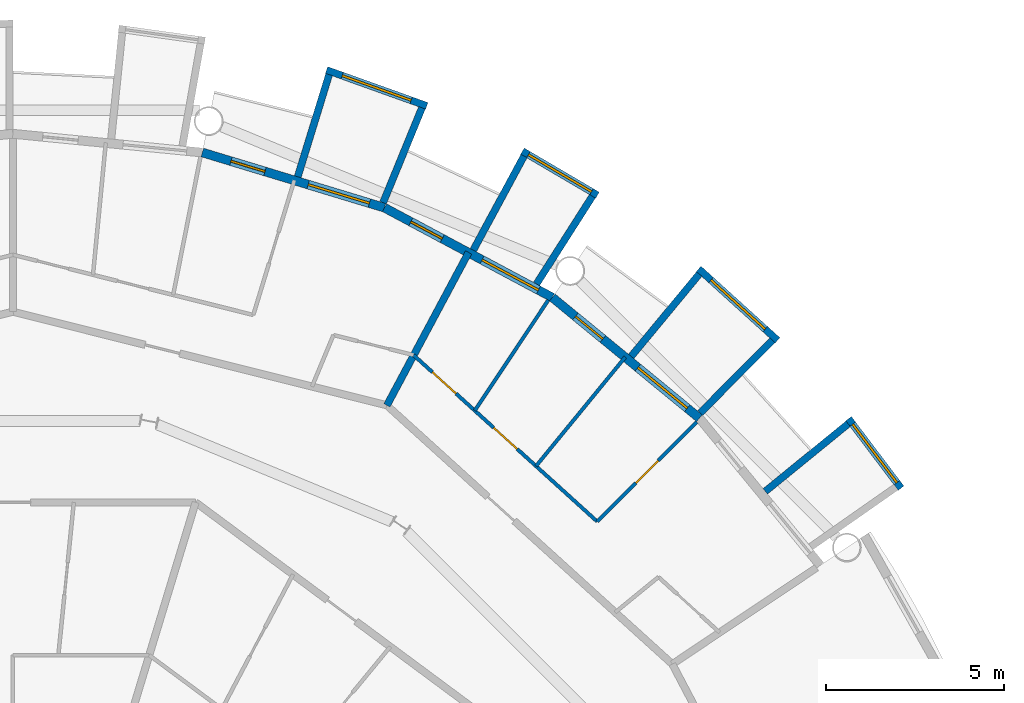
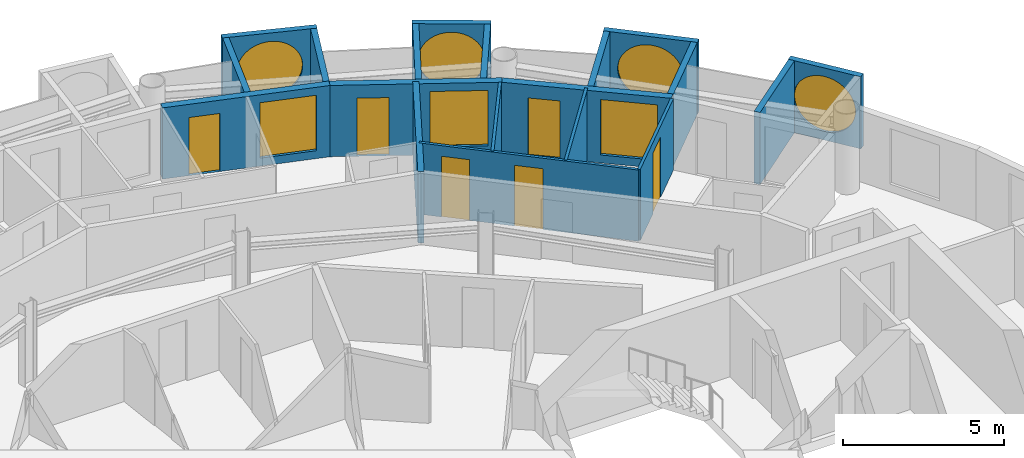
# One storey, part 23 of 27: 19 walls, 7 windows, 6 doors, 13 openings.
"""IFC4 building model written with IfcOpenShell, lengths in metres."""

from ifc_helpers import new_model, si_unit, direction, frame, frame_2d, origin, place, context, subcontext, project, spatial, rectangle, circle, extrude, material, layer, layer_set, type_object, element, fill, save


model = new_model("IFC4")

# Units and contexts
model_context = context("Model", 3, precision=1e-05, world=origin(), true_north=direction((0.0, 1.0)))
body_context = subcontext(model_context, "Body", "Model", "MODEL_VIEW")
ifc_project = project(units=[si_unit("LENGTHUNIT", "METRE"), si_unit("AREAUNIT", "SQUARE_METRE"), si_unit("VOLUMEUNIT", "CUBIC_METRE"), si_unit("PLANEANGLEUNIT", "RADIAN"), si_unit("MASSUNIT", "GRAM", prefix="KILO")], contexts=[model_context])

# Site, building, storey
site_placement = place(None, origin())
site = spatial("IfcSite", under=ifc_project, at=site_placement, CompositionType="ELEMENT")
building_placement = place(site_placement, origin())
building = spatial("IfcBuilding", under=site, at=building_placement, Name="Maasbend Ring Residences", CompositionType="ELEMENT")
storey_placement = place(building_placement, frame((0.0, 0.0, 151.300048828125)))
storey = spatial("IfcBuildingStorey", under=building, at=storey_placement, Name="L43", CompositionType="ELEMENT", Elevation=151.300048828125)

# Wall, opening, window
ifc_material_1 = material(Name="Pale anodised aluminium panel", Category="aluminium")
ifc_layer_1 = layer(ifc_material_1, 0.199951171875)
ifc_layer_set_1 = layer_set([ifc_layer_1], Name="EW-BOX")
wall_type_1 = type_object("IfcWallType", Name="EW-BOX", PredefinedType="SOLIDWALL", material=ifc_layer_set_1)
wall_1_placement = place(storey_placement, frame((24.971923828125, 17.3369140625, -0.030029296875), z_axis=(0.0, 0.0, 1.0), x_axis=(-0.602806268067, 0.797887588059, 0.0)))
wall_1 = element("IfcWall", 1, at=wall_1_placement, inside=storey, type_object=wall_type_1, Name="Box front N01", PredefinedType="SOLIDWALL", context=body_context, shape_type="SweptSolid", body=[
    extrude(rectangle(XDim=2.446533203125, YDim=0.199951171875, at=frame_2d((1.22314453125, 0.0))), origin(), (0.0, 0.0, 1.0), 2.72998046875),
])
opening_1_placement = place(wall_1_placement, frame((0.182861328125, 0.0, 0.330078125)))
opening_1 = element("IfcOpeningElement", 2, at=opening_1_placement, cuts=wall_1, Name="Opening W-RD", PredefinedType="OPENING", context=body_context, shape_type="SweptSolid", body=[
    extrude(circle(Radius=1.0400390625, at=frame_2d((1.0400390625, 1.0400390625))), frame((0.0, 0.10986328125, 0.0), z_axis=(0.0, -1.0, 0.0), x_axis=(1.0, 0.0, 0.0)), (0.0, 0.0, 1.0), 0.219970703125),
])
ifc_material_2 = material(Name="Aluminium and clear glass", Category="aluminium")
window_type_1 = type_object("IfcWindowType", Name="W-RD", PartitioningType="SINGLE_PANEL", PredefinedType="WINDOW", material=ifc_material_2)
window_1_placement = place(opening_1_placement, origin())
window_1 = element("IfcWindow", 3, at=window_1_placement, inside=storey, type_object=window_type_1, Name="Round window N01", OverallHeight=2.080078125, OverallWidth=2.080078125, PartitioningType="SINGLE_PANEL", PredefinedType="WINDOW", context=body_context, shape_type="SweptSolid", body=[
    extrude(circle(Radius=1.0400390625, at=frame_2d((1.0400390625, 1.0400390625))), frame((0.0, 0.030029296875, 0.0), z_axis=(0.0, -1.0, 0.0), x_axis=(1.0, 0.0, 0.0)), (0.0, 0.0, 1.0), 0.06005859375),
])
fill(opening_1, window_1)

# Wall
wall_2_placement = place(storey_placement, frame((21.155029296875, 17.24609375, -0.030029296875), z_axis=(0.0, 0.0, 1.0), x_axis=(0.775179004516, 0.631741648902, 0.0)))
element("IfcWall", 4, at=wall_2_placement, inside=storey, type_object=wall_type_1, Name="Box side wall N01 right", PredefinedType="SOLIDWALL", context=body_context, shape_type="SweptSolid", body=[
    extrude(rectangle(XDim=3.005859375, YDim=0.199951171875, at=frame_2d((1.5029296875, 0.0))), origin(), (0.0, 0.0, 1.0), 2.72998046875),
])

# Wall, opening, window
wall_3_placement = place(storey_placement, frame((21.5, 21.492919921875, -0.030029296875), z_axis=(0.0, 0.0, 1.0), x_axis=(-0.740998365753, 0.671506829416, 0.0)))
wall_3 = element("IfcWall", 5, at=wall_3_placement, inside=storey, type_object=wall_type_1, Name="Box front N03", PredefinedType="SOLIDWALL", context=body_context, shape_type="SweptSolid", body=[
    extrude(rectangle(XDim=2.9931640625, YDim=0.199951171875, at=frame_2d((1.49658203125, 0.0))), origin(), (0.0, 0.0, 1.0), 2.72998046875),
])
opening_2_placement = place(wall_3_placement, frame((0.45654296875, 0.0, 0.330078125)))
opening_2 = element("IfcOpeningElement", 6, at=opening_2_placement, cuts=wall_3, Name="Opening W-RD", PredefinedType="OPENING", context=body_context, shape_type="SweptSolid", body=[
    extrude(circle(Radius=1.0400390625, at=frame_2d((1.0400390625, 1.0400390625))), frame((0.0, 0.10986328125, 0.0), z_axis=(0.0, -1.0, 0.0), x_axis=(1.0, 0.0, 0.0)), (0.0, 0.0, 1.0), 0.219970703125),
])
window_2_placement = place(opening_2_placement, origin())
window_2 = element("IfcWindow", 7, at=window_2_placement, inside=storey, type_object=window_type_1, Name="Round window N03", OverallHeight=2.080078125, OverallWidth=2.080078125, PartitioningType="SINGLE_PANEL", PredefinedType="WINDOW", context=body_context, shape_type="SweptSolid", body=[
    extrude(circle(Radius=1.0400390625, at=frame_2d((1.0400390625, 1.0400390625))), frame((0.0, 0.030029296875, 0.0), z_axis=(0.0, -1.0, 0.0), x_axis=(1.0, 0.0, 0.0)), (0.0, 0.0, 1.0), 0.06005859375),
])
fill(opening_2, window_2)

# Walls
wall_4_placement = place(storey_placement, frame((19.322998046875, 19.449951171875, -0.030029296875), z_axis=(0.0, 0.0, 1.0), x_axis=(0.704476739375, 0.709727076896, 0.0)))
element("IfcWall", 8, at=wall_4_placement, inside=storey, type_object=wall_type_1, Name="Box side wall N03 left", PredefinedType="SOLIDWALL", context=body_context, shape_type="SweptSolid", body=[
    extrude(rectangle(XDim=2.883056640625, YDim=0.199951171875, at=frame_2d((1.44140625, 0.0))), origin(), (0.0, 0.0, 1.0), 2.72998046875),
])
wall_5_placement = place(storey_placement, frame((17.384033203125, 21.041015625, -0.030029296875), z_axis=(0.0, 0.0, 1.0), x_axis=(0.63709551667, 0.770784861449, 0.0)))
element("IfcWall", 9, at=wall_5_placement, inside=storey, type_object=wall_type_1, Name="Box side wall N03 right", PredefinedType="SOLIDWALL", context=body_context, shape_type="SweptSolid", body=[
    extrude(rectangle(XDim=3.005859375, YDim=0.199951171875, at=frame_2d((1.5029296875, 0.0))), origin(), (0.0, 0.0, 1.0), 2.72998046875),
])

# Wall, opening, window
wall_6_placement = place(storey_placement, frame((16.43603515625, 25.573974609375, -0.030029296875), z_axis=(0.0, 0.0, 1.0), x_axis=(-0.862403467503, 0.506221551535, 0.0)))
wall_6 = element("IfcWall", 10, at=wall_6_placement, inside=storey, type_object=wall_type_1, Name="Box front N05", PredefinedType="SOLIDWALL", context=body_context, shape_type="SweptSolid", body=[
    extrude(rectangle(XDim=2.445556640625, YDim=0.199951171875, at=frame_2d((1.22265625, 0.0))), origin(), (0.0, 0.0, 1.0), 2.72998046875),
])
opening_3_placement = place(wall_6_placement, frame((0.182861328125, 0.0, 0.330078125)))
opening_3 = element("IfcOpeningElement", 11, at=opening_3_placement, cuts=wall_6, Name="Opening W-RD", PredefinedType="OPENING", context=body_context, shape_type="SweptSolid", body=[
    extrude(circle(Radius=1.0400390625, at=frame_2d((1.0400390625, 1.0400390625))), frame((0.0, 0.10986328125, 0.0), z_axis=(0.0, -1.0, 0.0), x_axis=(1.0, 0.0, 0.0)), (0.0, 0.0, 1.0), 0.219970703125),
])
window_3_placement = place(opening_3_placement, origin())
window_3 = element("IfcWindow", 12, at=window_3_placement, inside=storey, type_object=window_type_1, Name="Round window N05", OverallHeight=2.080078125, OverallWidth=2.080078125, PartitioningType="SINGLE_PANEL", PredefinedType="WINDOW", context=body_context, shape_type="SweptSolid", body=[
    extrude(circle(Radius=1.0400390625, at=frame_2d((1.0400390625, 1.0400390625))), frame((0.0, 0.030029296875, 0.0), z_axis=(0.0, -1.0, 0.0), x_axis=(1.0, 0.0, 0.0)), (0.0, 0.0, 1.0), 0.06005859375),
])
fill(opening_3, window_3)

# Walls
wall_7_placement = place(storey_placement, frame((14.721923828125, 23.0791015625, -0.030029296875), z_axis=(0.0, 0.0, 1.0), x_axis=(0.537572179146, 0.843217737129, 0.0)))
element("IfcWall", 13, at=wall_7_placement, inside=storey, type_object=wall_type_1, Name="Box side wall N05 left", PredefinedType="SOLIDWALL", context=body_context, shape_type="SweptSolid", body=[
    extrude(rectangle(XDim=2.92431640625, YDim=0.199951171875, at=frame_2d((1.462158203125, 0.0))), origin(), (0.0, 0.0, 1.0), 2.72998046875),
])
wall_8_placement = place(storey_placement, frame((12.945068359375, 24.029052734375, -0.030029296875), z_axis=(0.0, 0.0, 1.0), x_axis=(0.474424310775, 0.88029629861, 0.0)))
element("IfcWall", 14, at=wall_8_placement, inside=storey, type_object=wall_type_1, Name="Box side wall N05 right", PredefinedType="SOLIDWALL", context=body_context, shape_type="SweptSolid", body=[
    extrude(rectangle(XDim=3.005859375, YDim=0.199951171875, at=frame_2d((1.5029296875, 0.0))), origin(), (0.0, 0.0, 1.0), 2.72998046875),
])

# Wall, opening, window
wall_9_placement = place(storey_placement, frame((11.637939453125, 28.083984375, -0.030029296875), z_axis=(0.0, 0.0, 1.0), x_axis=(-0.941461077774, 0.337121697664, 0.0)))
wall_9 = element("IfcWall", 15, at=wall_9_placement, inside=storey, type_object=wall_type_1, Name="Box front N07", PredefinedType="SOLIDWALL", context=body_context, shape_type="SweptSolid", body=[
    extrude(rectangle(XDim=2.9931640625, YDim=0.199951171875, at=frame_2d((1.49658203125, 0.0))), origin(), (0.0, 0.0, 1.0), 2.72998046875),
])
opening_4_placement = place(wall_9_placement, frame((0.45654296875, 0.0, 0.330078125)))
opening_4 = element("IfcOpeningElement", 16, at=opening_4_placement, cuts=wall_9, Name="Opening W-RD", PredefinedType="OPENING", context=body_context, shape_type="SweptSolid", body=[
    extrude(circle(Radius=1.0400390625, at=frame_2d((1.0400390625, 1.0400390625))), frame((0.0, 0.10986328125, 0.0), z_axis=(0.0, -1.0, 0.0), x_axis=(1.0, 0.0, 0.0)), (0.0, 0.0, 1.0), 0.219970703125),
])
window_4_placement = place(opening_4_placement, origin())
window_4 = element("IfcWindow", 17, at=window_4_placement, inside=storey, type_object=window_type_1, Name="Round window N07", OverallHeight=2.080078125, OverallWidth=2.080078125, PartitioningType="SINGLE_PANEL", PredefinedType="WINDOW", context=body_context, shape_type="SweptSolid", body=[
    extrude(circle(Radius=1.0400390625, at=frame_2d((1.0400390625, 1.0400390625))), frame((0.0, 0.030029296875, 0.0), z_axis=(0.0, -1.0, 0.0), x_axis=(1.0, 0.0, 0.0)), (0.0, 0.0, 1.0), 0.06005859375),
])
fill(opening_4, window_4)

# Walls
wall_10_placement = place(storey_placement, frame((10.408935546875, 25.364013671875, -0.030029296875), z_axis=(0.0, 0.0, 1.0), x_axis=(0.379509886562, 0.925187681501, 0.0)))
element("IfcWall", 18, at=wall_10_placement, inside=storey, type_object=wall_type_1, Name="Box side wall N07 left", PredefinedType="SOLIDWALL", context=body_context, shape_type="SweptSolid", body=[
    extrude(rectangle(XDim=2.882568359375, YDim=0.199951171875, at=frame_2d((1.44140625, 0.0))), origin(), (0.0, 0.0, 1.0), 2.72998046875),
])
wall_11_placement = place(storey_placement, frame((8.009033203125, 26.092041015625, -0.030029296875), z_axis=(0.0, 0.0, 1.0), x_axis=(0.293406695073, 0.955987715029, 0.0)))
element("IfcWall", 19, at=wall_11_placement, inside=storey, type_object=wall_type_1, Name="Box side wall N07 right", PredefinedType="SOLIDWALL", context=body_context, shape_type="SweptSolid", body=[
    extrude(rectangle(XDim=3.00634765625, YDim=0.199951171875, at=frame_2d((1.503173828125, 0.0))), origin(), (0.0, 0.0, 1.0), 2.72998046875),
])

# Wall, openings, door, window
ifc_material_3 = material(Name="Aluminium clad insulated panel", Category="aluminium")
ifc_layer_2 = layer(ifc_material_3, 0.25)
ifc_layer_set_2 = layer_set([ifc_layer_2], Name="EW-GL")
wall_type_2 = type_object("IfcWallType", Name="EW-GL", PredefinedType="SOLIDWALL", material=ifc_layer_set_2)
wall_12_placement = place(storey_placement, frame((19.303955078125, 19.303955078125, 0.0), z_axis=(0.0, 0.0, 1.0), x_axis=(-0.773019449054, 0.634382322723, 0.0)))
wall_12 = element("IfcWall", 20, at=wall_12_placement, inside=storey, type_object=wall_type_2, Name="External wall N02", PredefinedType="SOLIDWALL", context=body_context, shape_type="SweptSolid", body=[
    extrude(rectangle(XDim=5.351806640625, YDim=0.25, at=frame_2d((2.67578125, 0.0))), origin(), (0.0, 0.0, 1.0), 2.699951171875),
])
opening_5_placement = place(wall_12_placement, frame((0.441162109375, 0.0, 0.300048828125)))
opening_5 = element("IfcOpeningElement", 21, at=opening_5_placement, cuts=wall_12, Name="Opening W-BX", PredefinedType="OPENING", context=body_context, shape_type="SweptSolid", body=[
    extrude(rectangle(XDim=1.800048828125, YDim=2.10009765625, at=frame_2d((0.89990234375, 1.050048828125))), frame((0.0, 0.135009765625, 0.0), z_axis=(0.0, -1.0, 0.0), x_axis=(1.0, 0.0, 0.0)), (0.0, 0.0, 1.0), 0.27001953125),
])
opening_6_placement = place(wall_12_placement, frame((3.510498046875, 0.0, 0.0)))
opening_6 = element("IfcOpeningElement", 22, at=opening_6_placement, cuts=wall_12, Name="Opening D-LG", PredefinedType="OPENING", context=body_context, shape_type="SweptSolid", body=[
    extrude(rectangle(XDim=1.0, YDim=2.199951171875, at=frame_2d((0.5, 1.10009765625))), frame((0.0, 0.135009765625, 0.0), z_axis=(0.0, -1.0, 0.0), x_axis=(1.0, 0.0, 0.0)), (0.0, 0.0, 1.0), 0.27001953125),
])
ifc_material_4 = material(Name="Aluminium and clear glass", Category="aluminium")
door_type_1 = type_object("IfcDoorType", Name="D-LG", OperationType="SINGLE_SWING_LEFT", PredefinedType="DOOR", material=ifc_material_4)
door_1_placement = place(opening_6_placement, origin())
door_1 = element("IfcDoor", 23, at=door_1_placement, inside=storey, type_object=door_type_1, Name="Loggia door N04", OperationType="SINGLE_SWING_LEFT", OverallHeight=2.199951171875, OverallWidth=1.0, PredefinedType="DOOR", context=body_context, shape_type="SweptSolid", body=[
    extrude(rectangle(XDim=1.0, YDim=2.199951171875, at=frame_2d((0.5, 1.10009765625))), frame((0.0, 0.02490234375, 0.0), z_axis=(0.0, -1.0, 0.0), x_axis=(1.0, 0.0, 0.0)), (0.0, 0.0, 1.0), 0.050048828125),
])
fill(opening_6, door_1)
ifc_material_5 = material(Name="Aluminium and clear glass", Category="aluminium")
window_type_2 = type_object("IfcWindowType", Name="W-BX", PartitioningType="DOUBLE_PANEL_VERTICAL", PredefinedType="WINDOW", material=ifc_material_5)
window_5_placement = place(opening_5_placement, origin())
window_5 = element("IfcWindow", 24, at=window_5_placement, inside=storey, type_object=window_type_2, Name="Window N03 room to box", OverallHeight=2.10009765625, OverallWidth=1.800048828125, PartitioningType="SINGLE_PANEL", PredefinedType="WINDOW", context=body_context, shape_type="SweptSolid", body=[
    extrude(rectangle(XDim=1.800048828125, YDim=2.10009765625, at=frame_2d((0.89990234375, 1.050048828125))), frame((0.0, 0.030029296875, 0.0), z_axis=(0.0, -1.0, 0.0), x_axis=(1.0, 0.0, 0.0)), (0.0, 0.0, 1.0), 0.06005859375),
])
fill(opening_5, window_5)

wall_13_placement = place(storey_placement, frame((15.1669921875, 22.698974609375, 0.0), z_axis=(0.0, 0.0, 1.0), x_axis=(-0.881915646801, 0.471407246368, 0.0)))
wall_13 = element("IfcWall", 25, at=wall_13_placement, inside=storey, type_object=wall_type_2, Name="External wall N03", PredefinedType="SOLIDWALL", context=body_context, shape_type="SweptSolid", body=[
    extrude(rectangle(XDim=5.35205078125, YDim=0.25, at=frame_2d((2.676025390625, 0.0))), origin(), (0.0, 0.0, 1.0), 2.699951171875),
])
opening_7_placement = place(wall_13_placement, frame((0.441162109375, 0.0, 0.300048828125)))
opening_7 = element("IfcOpeningElement", 26, at=opening_7_placement, cuts=wall_13, Name="Opening W-BX", PredefinedType="OPENING", context=body_context, shape_type="SweptSolid", body=[
    extrude(rectangle(XDim=1.800048828125, YDim=2.10009765625, at=frame_2d((0.89990234375, 1.050048828125))), frame((0.0, 0.135009765625, 0.0), z_axis=(0.0, -1.0, 0.0), x_axis=(1.0, 0.0, 0.0)), (0.0, 0.0, 1.0), 0.27001953125),
])
opening_8_placement = place(wall_13_placement, frame((3.510498046875, 0.0, 0.0)))
opening_8 = element("IfcOpeningElement", 27, at=opening_8_placement, cuts=wall_13, Name="Opening D-LG", PredefinedType="OPENING", context=body_context, shape_type="SweptSolid", body=[
    extrude(rectangle(XDim=1.0, YDim=2.199951171875, at=frame_2d((0.5, 1.10009765625))), frame((0.0, 0.135009765625, 0.0), z_axis=(0.0, -1.0, 0.0), x_axis=(1.0, 0.0, 0.0)), (0.0, 0.0, 1.0), 0.27001953125),
])
door_2_placement = place(opening_8_placement, origin())
door_2 = element("IfcDoor", 28, at=door_2_placement, inside=storey, type_object=door_type_1, Name="Loggia door N06", OperationType="SINGLE_SWING_LEFT", OverallHeight=2.199951171875, OverallWidth=1.0, PredefinedType="DOOR", context=body_context, shape_type="SweptSolid", body=[
    extrude(rectangle(XDim=1.0, YDim=2.199951171875, at=frame_2d((0.5, 1.10009765625))), frame((0.0, 0.02490234375, 0.0), z_axis=(0.0, -1.0, 0.0), x_axis=(1.0, 0.0, 0.0)), (0.0, 0.0, 1.0), 0.050048828125),
])
fill(opening_8, door_2)
window_6_placement = place(opening_7_placement, origin())
window_6 = element("IfcWindow", 29, at=window_6_placement, inside=storey, type_object=window_type_2, Name="Window N05 room to box", OverallHeight=2.10009765625, OverallWidth=1.800048828125, PartitioningType="SINGLE_PANEL", PredefinedType="WINDOW", context=body_context, shape_type="SweptSolid", body=[
    extrude(rectangle(XDim=1.800048828125, YDim=2.10009765625, at=frame_2d((0.89990234375, 1.050048828125))), frame((0.0, 0.030029296875, 0.0), z_axis=(0.0, -1.0, 0.0), x_axis=(1.0, 0.0, 0.0)), (0.0, 0.0, 1.0), 0.06005859375),
])
fill(opening_7, window_6)

wall_14_placement = place(storey_placement, frame((10.447021484375, 25.221923828125, 0.0), z_axis=(0.0, 0.0, 1.0), x_axis=(-0.956965678721, 0.290201119486, 0.0)))
wall_14 = element("IfcWall", 30, at=wall_14_placement, inside=storey, type_object=wall_type_2, Name="External wall N04", PredefinedType="SOLIDWALL", context=body_context, shape_type="SweptSolid", body=[
    extrude(rectangle(XDim=5.351318359375, YDim=0.25, at=frame_2d((2.67578125, 0.0))), origin(), (0.0, 0.0, 1.0), 2.699951171875),
])
opening_9_placement = place(wall_14_placement, frame((0.441162109375, 0.0, 0.300048828125)))
opening_9 = element("IfcOpeningElement", 31, at=opening_9_placement, cuts=wall_14, Name="Opening W-BX", PredefinedType="OPENING", context=body_context, shape_type="SweptSolid", body=[
    extrude(rectangle(XDim=1.800048828125, YDim=2.10009765625, at=frame_2d((0.89990234375, 1.050048828125))), frame((0.0, 0.135009765625, 0.0), z_axis=(0.0, -1.0, 0.0), x_axis=(1.0, 0.0, 0.0)), (0.0, 0.0, 1.0), 0.27001953125),
])
opening_10_placement = place(wall_14_placement, frame((3.510498046875, 0.0, 0.0)))
opening_10 = element("IfcOpeningElement", 32, at=opening_10_placement, cuts=wall_14, Name="Opening D-LG", PredefinedType="OPENING", context=body_context, shape_type="SweptSolid", body=[
    extrude(rectangle(XDim=1.0, YDim=2.199951171875, at=frame_2d((0.5, 1.10009765625))), frame((0.0, 0.135009765625, 0.0), z_axis=(0.0, -1.0, 0.0), x_axis=(1.0, 0.0, 0.0)), (0.0, 0.0, 1.0), 0.27001953125),
])
door_3_placement = place(opening_10_placement, origin())
door_3 = element("IfcDoor", 33, at=door_3_placement, inside=storey, type_object=door_type_1, Name="Loggia door N08", OperationType="SINGLE_SWING_LEFT", OverallHeight=2.199951171875, OverallWidth=1.0, PredefinedType="DOOR", context=body_context, shape_type="SweptSolid", body=[
    extrude(rectangle(XDim=1.0, YDim=2.199951171875, at=frame_2d((0.5, 1.10009765625))), frame((0.0, 0.02490234375, 0.0), z_axis=(0.0, -1.0, 0.0), x_axis=(1.0, 0.0, 0.0)), (0.0, 0.0, 1.0), 0.050048828125),
])
fill(opening_10, door_3)
window_7_placement = place(opening_9_placement, origin())
window_7 = element("IfcWindow", 34, at=window_7_placement, inside=storey, type_object=window_type_2, Name="Window N07 room to box", OverallHeight=2.10009765625, OverallWidth=1.800048828125, PartitioningType="SINGLE_PANEL", PredefinedType="WINDOW", context=body_context, shape_type="SweptSolid", body=[
    extrude(rectangle(XDim=1.800048828125, YDim=2.10009765625, at=frame_2d((0.89990234375, 1.050048828125))), frame((0.0, 0.030029296875, 0.0), z_axis=(0.0, -1.0, 0.0), x_axis=(1.0, 0.0, 0.0)), (0.0, 0.0, 1.0), 0.06005859375),
])
fill(opening_9, window_7)

# Walls
ifc_material_6 = material(Name="Gypsum board on steel studs", Category="steel")
ifc_layer_3 = layer(ifc_material_6, 0.10009765625)
ifc_layer_set_3 = layer_set([ifc_layer_3], Name="PARTITION 100 GYPSUM")
wall_type_3 = type_object("IfcWallType", Name="PARTITION 100 GYPSUM", PredefinedType="PARTITIONING", material=ifc_layer_set_3)
wall_15_placement = place(storey_placement, frame((12.988037109375, 19.51806640625, 0.0), z_axis=(0.0, 0.0, 1.0), x_axis=(0.553823887887, 0.83263383381, 0.0)))
element("IfcWall", 35, at=wall_15_placement, inside=storey, type_object=wall_type_3, Name="U-L43-w079", PredefinedType="PARTITIONING", context=body_context, shape_type="SweptSolid", body=[
    extrude(rectangle(XDim=3.730224609375, YDim=0.10009765625, at=frame_2d((1.865234375, 0.0))), origin(), (0.0, 0.0, 1.0), 2.699951171875),
])
wall_16_placement = place(storey_placement, frame((14.708984375, 17.9580078125, 0.0), z_axis=(0.0, 0.0, 1.0), x_axis=(0.633590098448, 0.773668913133, 0.0)))
element("IfcWall", 36, at=wall_16_placement, inside=storey, type_object=wall_type_3, Name="U-L43-w081", PredefinedType="PARTITIONING", context=body_context, shape_type="SweptSolid", body=[
    extrude(rectangle(XDim=3.961669921875, YDim=0.10009765625, at=frame_2d((1.98095703125, 0.0))), origin(), (0.0, 0.0, 1.0), 2.699951171875),
])

# Wall, opening, door
wall_17_placement = place(storey_placement, frame((16.429931640625, 16.39794921875, 0.0), z_axis=(0.0, 0.0, 1.0), x_axis=(0.707722727509, 0.706490297858, 0.0)))
wall_17 = element("IfcWall", 37, at=wall_17_placement, inside=storey, type_object=wall_type_3, Name="U-L43-w082", PredefinedType="PARTITIONING", context=body_context, shape_type="SweptSolid", body=[
    extrude(rectangle(XDim=3.9619140625, YDim=0.10009765625, at=frame_2d((1.98095703125, 0.0))), origin(), (0.0, 0.0, 1.0), 2.699951171875),
])
opening_11_placement = place(wall_17_placement, frame((1.531005859375, 0.0, 0.0)))
opening_11 = element("IfcOpeningElement", 38, at=opening_11_placement, cuts=wall_17, Name="Opening D-4303", PredefinedType="OPENING", context=body_context, shape_type="SweptSolid", body=[
    extrude(rectangle(XDim=0.89990234375, YDim=2.300048828125, at=frame_2d((0.449951171875, 1.14990234375))), frame((0.0, 0.06005859375, 0.0), z_axis=(0.0, -1.0, 0.0), x_axis=(1.0, 0.0, 0.0)), (0.0, 0.0, 1.0), 0.1201171875),
])
ifc_material_7 = material(Name="Timber, painted", Category="wood")
door_type_2 = type_object("IfcDoorType", Name="INTERNAL DOOR 900 X 2300", OperationType="NOTDEFINED", PredefinedType="DOOR", material=ifc_material_7)
door_4_placement = place(opening_11_placement, origin())
door_4 = element("IfcDoor", 39, at=door_4_placement, inside=storey, type_object=door_type_2, Name="D-4303", OperationType="SINGLE_SWING_RIGHT", OverallHeight=2.300048828125, OverallWidth=0.89990234375, PredefinedType="DOOR", context=body_context, shape_type="SweptSolid", body=[
    extrude(rectangle(XDim=0.89990234375, YDim=2.300048828125, at=frame_2d((0.449951171875, 1.14990234375))), frame((0.0, 0.02490234375, 0.0), z_axis=(0.0, -1.0, 0.0), x_axis=(1.0, 0.0, 0.0)), (0.0, 0.0, 1.0), 0.050048828125),
])
fill(opening_11, door_4)

# Wall, openings, doors
wall_18_placement = place(storey_placement, frame((11.26611328125, 21.077880859375, 0.0), z_axis=(0.0, 0.0, 1.0), x_axis=(0.74097115376, -0.671536856245, 0.0)))
wall_18 = element("IfcWall", 40, at=wall_18_placement, inside=storey, type_object=wall_type_3, Name="U-L43-w116", PredefinedType="PARTITIONING", context=body_context, shape_type="SweptSolid", body=[
    extrude(rectangle(XDim=6.968994140625, YDim=0.10009765625, at=frame_2d((3.484375, 0.0))), origin(), (0.0, 0.0, 1.0), 2.699951171875),
])
opening_12_placement = place(wall_18_placement, frame((3.033935546875, 0.0, 0.0)))
opening_12 = element("IfcOpeningElement", 41, at=opening_12_placement, cuts=wall_18, Name="Opening D-4304", PredefinedType="OPENING", context=body_context, shape_type="SweptSolid", body=[
    extrude(rectangle(XDim=0.89990234375, YDim=2.300048828125, at=frame_2d((0.449951171875, 1.14990234375))), frame((0.0, 0.06005859375, 0.0), z_axis=(0.0, -1.0, 0.0), x_axis=(1.0, 0.0, 0.0)), (0.0, 0.0, 1.0), 0.1201171875),
])
opening_13_placement = place(wall_18_placement, frame((0.7119140625, 0.0, 0.0)))
opening_13 = element("IfcOpeningElement", 42, at=opening_13_placement, cuts=wall_18, Name="Opening D-4305", PredefinedType="OPENING", context=body_context, shape_type="SweptSolid", body=[
    extrude(rectangle(XDim=0.89990234375, YDim=2.300048828125, at=frame_2d((0.449951171875, 1.14990234375))), frame((0.0, 0.06005859375, 0.0), z_axis=(0.0, -1.0, 0.0), x_axis=(1.0, 0.0, 0.0)), (0.0, 0.0, 1.0), 0.1201171875),
])
door_5_placement = place(opening_12_placement, origin())
door_5 = element("IfcDoor", 43, at=door_5_placement, inside=storey, type_object=door_type_2, Name="D-4304", OperationType="SINGLE_SWING_LEFT", OverallHeight=2.300048828125, OverallWidth=0.89990234375, PredefinedType="DOOR", context=body_context, shape_type="SweptSolid", body=[
    extrude(rectangle(XDim=0.89990234375, YDim=2.300048828125, at=frame_2d((0.449951171875, 1.14990234375))), frame((0.0, 0.02490234375, 0.0), z_axis=(0.0, -1.0, 0.0), x_axis=(1.0, 0.0, 0.0)), (0.0, 0.0, 1.0), 0.050048828125),
])
fill(opening_12, door_5)
door_6_placement = place(opening_13_placement, origin())
door_6 = element("IfcDoor", 44, at=door_6_placement, inside=storey, type_object=door_type_2, Name="D-4305", OperationType="SINGLE_SWING_LEFT", OverallHeight=2.300048828125, OverallWidth=0.89990234375, PredefinedType="DOOR", context=body_context, shape_type="SweptSolid", body=[
    extrude(rectangle(XDim=0.89990234375, YDim=2.300048828125, at=frame_2d((0.449951171875, 1.14990234375))), frame((0.0, 0.02490234375, 0.0), z_axis=(0.0, -1.0, 0.0), x_axis=(1.0, 0.0, 0.0)), (0.0, 0.0, 1.0), 0.050048828125),
])
fill(opening_13, door_6)

# Wall
ifc_material_8 = material(Name="Concrete C30/37", Category="concrete")
ifc_layer_4 = layer(ifc_material_8, 0.199951171875)
ifc_layer_set_4 = layer_set([ifc_layer_4], Name="Concrete C30/37")
wall_type_4 = type_object("IfcWallType", Name="PARTY WALL 200 CONCRETE", PredefinedType="PARTITIONING", material=ifc_layer_set_4)
wall_19_placement = place(storey_placement, frame((10.51611328125, 19.6650390625, 0.0), z_axis=(0.0, 0.0, 1.0), x_axis=(0.471388689095, 0.881925565903, 0.0)))
element("IfcWall", 45, at=wall_19_placement, inside=storey, type_object=wall_type_4, Name="U-L43-w077", PredefinedType="PARTITIONING", context=body_context, shape_type="SweptSolid", body=[
    extrude(rectangle(XDim=4.874755859375, YDim=0.199951171875, at=frame_2d((2.4375, 0.0))), origin(), (0.0, 0.0, 1.0), 2.699951171875),
])

save(model, "model.ifc")
